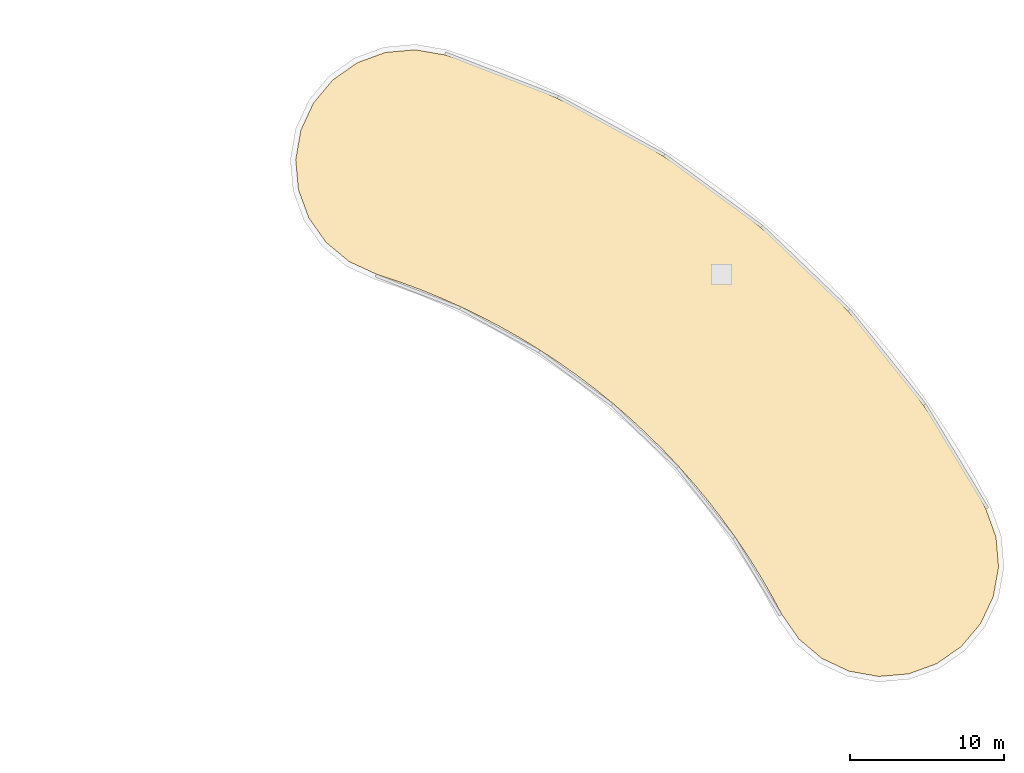
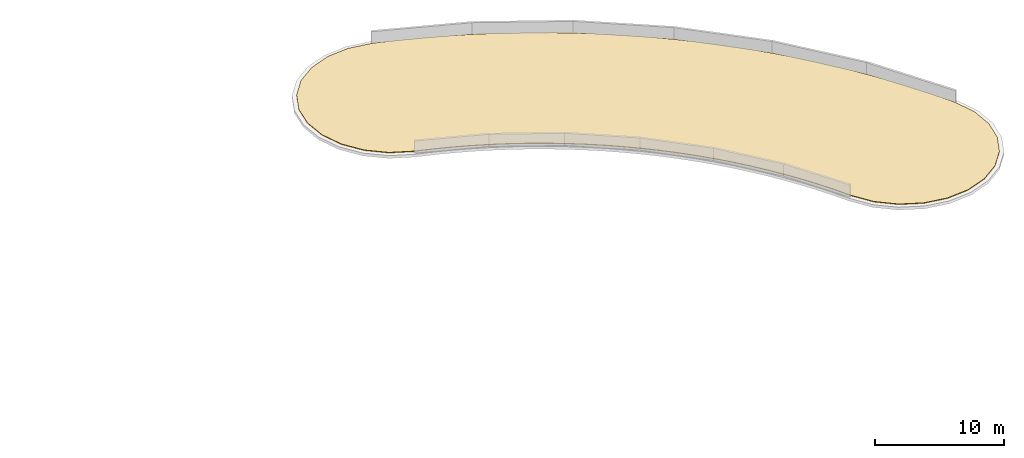
# One storey, part 19 of 19: 1 covering.
"""IFC4 building model written with IfcOpenShell, lengths in metres."""

from ifc_helpers import new_model, si_unit, direction, frame, origin, place, context, subcontext, project, spatial, polyline, outline, extrude, material, layer, layer_set, type_object, element, save


model = new_model("IFC4")

# Units and contexts
model_context = context("Model", 3, precision=1e-05, world=origin(), true_north=direction((0.0, 1.0)))
body_context = subcontext(model_context, "Body", "Model", "MODEL_VIEW")
ifc_project = project(units=[si_unit("LENGTHUNIT", "METRE"), si_unit("AREAUNIT", "SQUARE_METRE"), si_unit("VOLUMEUNIT", "CUBIC_METRE"), si_unit("PLANEANGLEUNIT", "RADIAN"), si_unit("MASSUNIT", "GRAM", prefix="KILO")], contexts=[model_context])

# Site, building, storey
site_placement = place(None, origin())
site = spatial("IfcSite", under=ifc_project, at=site_placement, CompositionType="ELEMENT")
building_placement = place(site_placement, origin())
building = spatial("IfcBuilding", under=site, at=building_placement, Name="Tanwirah Colonnade Gardens", CompositionType="ELEMENT")
storey_placement = place(building_placement, frame((0.0, 0.0, 45.800048828125)))
storey = spatial("IfcBuildingStorey", under=building, at=storey_placement, Name="L13", CompositionType="ELEMENT", Elevation=45.800048828125)

# Covering
ifc_material = material(Name="Reflective elastomeric membrane and rigid roof insulation")
ifc_layer = layer(ifc_material, 0.06005859375)
ifc_layer_set = layer_set([ifc_layer], Name="Reflective elastomeric membrane and rigid roof insulation")
covering_type = type_object("IfcCoveringType", Name="COV-ROOF60", PredefinedType="ROOFING", material=ifc_layer_set)
covering_placement = place(storey_placement, origin())
element("IfcCovering", 1, at=covering_placement, inside=storey, type_object=covering_type, Name="Block B Insulated Roof Membrane Covering", PredefinedType="ROOFING", context=body_context, shape_type="SweptSolid", body=[
    extrude(outline(polyline([(161.689208984375, 79.0615234375), (160.563720703125, 80.6787109375), (159.883056640625, 81.944091796875), (159.87744140625, 81.954345703125), (159.145263671875, 83.214111328125), (159.13916015625, 83.223876953125), (158.365966796875, 84.458740234375), (158.359619140625, 84.468505859375), (157.5458984375, 85.67724609375), (157.539306640625, 85.686767578125), (156.686279296875, 86.867919921875), (156.679443359375, 86.877197265625), (155.787841796875, 88.02978515625), (155.78076171875, 88.038818359375), (154.851806640625, 89.161376953125), (154.84423828125, 89.170166015625), (153.878662109375, 90.261474609375), (153.870849609375, 90.27001953125), (152.8701171875, 91.328857421875), (152.862060546875, 91.337158203125), (151.82666015625, 92.3623046875), (151.818359375, 92.370361328125), (150.749755859375, 93.36083984375), (150.7412109375, 93.36865234375), (149.640625, 94.323486328125), (149.6318359375, 94.3310546875), (148.500244140625, 95.2490234375), (148.4912109375, 95.256103515625), (147.330078125, 96.136474609375), (147.32080078125, 96.143310546875), (146.13134765625, 96.98486328125), (146.12158203125, 96.9912109375), (144.905029296875, 97.793212890625), (144.895263671875, 97.79931640625), (143.653076171875, 98.560546875), (143.64306640625, 98.566650390625), (142.376220703125, 99.286376953125), (142.3662109375, 99.2919921875), (141.076416015625, 99.9697265625), (141.06591796875, 99.97509765625), (139.754638671875, 100.60986328125), (139.744140625, 100.61474609375), (138.412353515625, 101.206298828125), (138.40185546875, 101.210693359375), (137.05126953125, 101.7578125), (137.04052734375, 101.761962890625), (135.6728515625, 102.264404296875), (135.661865234375, 102.26806640625), (134.29736328125, 102.71875), (132.509521484375, 103.546142578125), (131.0166015625, 104.79150390625), (129.896728515625, 106.380615234375), (129.2265625, 108.20556640625), (129.051513671875, 110.141845703125), (129.383544921875, 112.05712890625), (130.199951171875, 113.821533203125), (131.4453125, 115.314453125), (133.034423828125, 116.43408203125), (134.859375, 117.104248046875), (136.795654296875, 117.279296875), (138.73095703125, 116.94384765625), (140.572998046875, 116.33544921875), (142.41259765625, 115.659912109375), (144.22900390625, 114.924072265625), (146.02001953125, 114.128662109375), (147.7841796875, 113.274658203125), (149.518798828125, 112.36279296875), (151.222900390625, 111.39453125), (152.893798828125, 110.37060546875), (154.5302734375, 109.2919921875), (156.130126953125, 108.16015625), (157.69189453125, 106.97607421875), (159.213623046875, 105.7412109375), (160.694091796875, 104.45703125), (162.13134765625, 103.12451171875), (163.523681640625, 101.74560546875), (164.8701171875, 100.3212890625), (166.168701171875, 98.853515625), (167.418212890625, 97.34375), (168.6171875, 95.79345703125), (169.7646484375, 94.20458984375), (170.85888671875, 92.578857421875), (171.899169921875, 90.917724609375), (172.884033203125, 89.223388671875), (173.802978515625, 87.51513671875), (174.46923828125, 85.667236328125), (174.633056640625, 83.730224609375), (174.2900390625, 81.816650390625), (173.46337890625, 80.05712890625), (172.209228515625, 78.571533203125), (170.613525390625, 77.461181640625), (168.784912109375, 76.801513671875), (166.84765625, 76.6376953125), (164.934326171875, 76.98095703125), (163.1748046875, 77.8076171875), (161.689208984375, 79.0615234375)])), origin(), (0.0, 0.0, 1.0), 0.06005859375),
])

save(model, "model.ifc")
